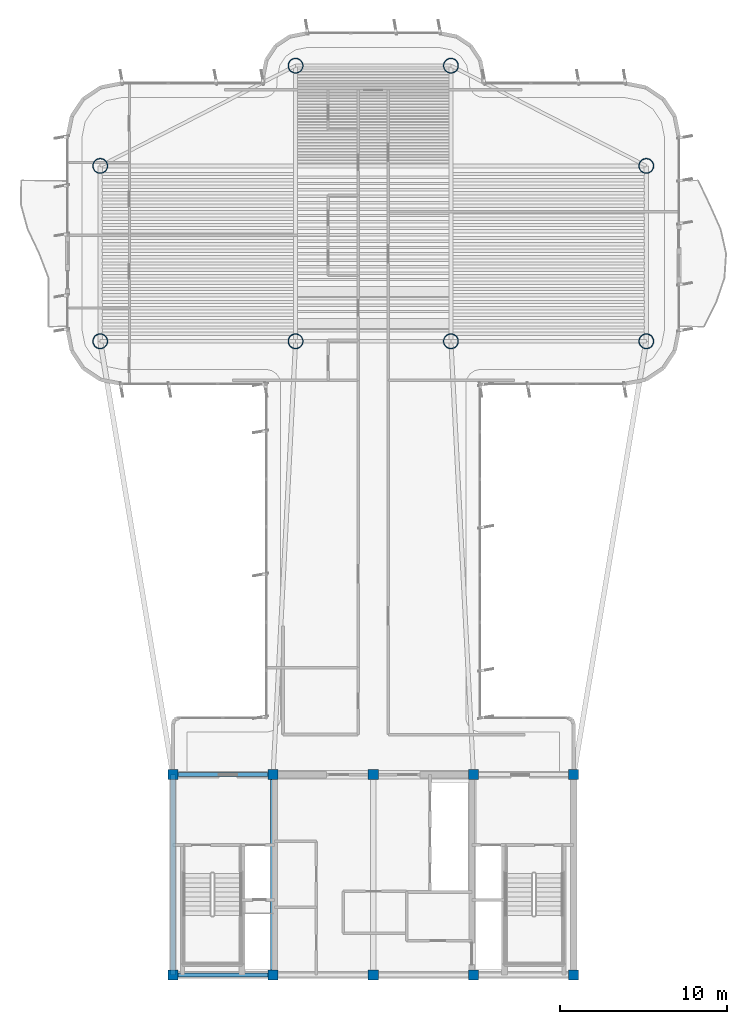
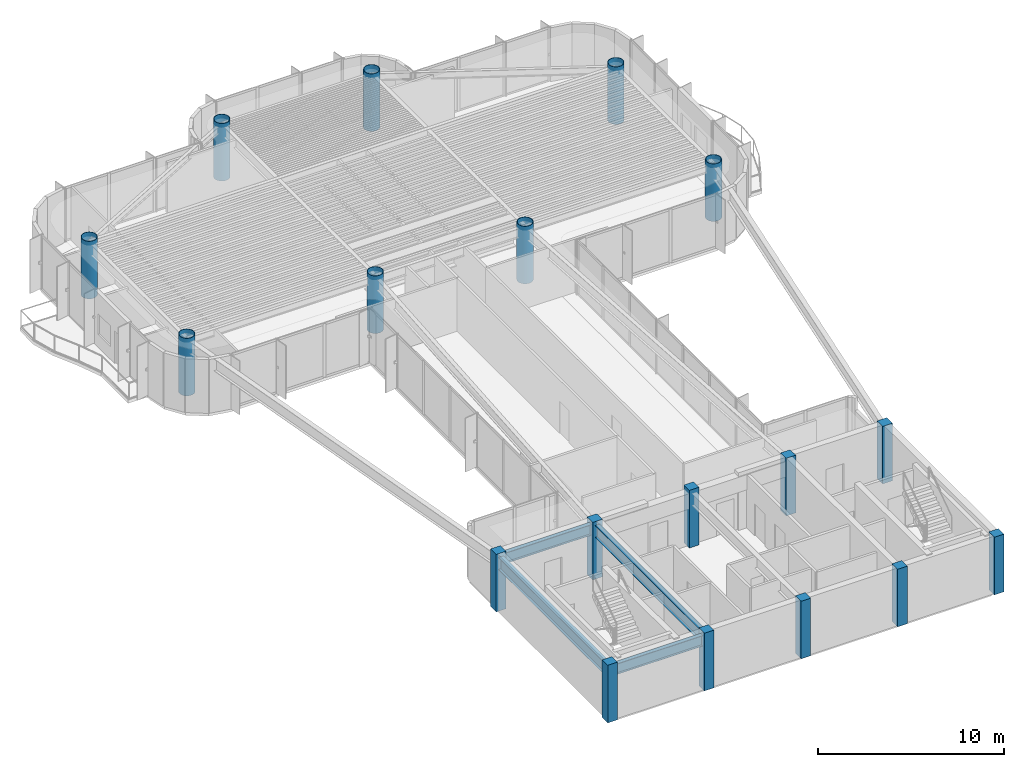
# One storey, part 1 of 15: 18 columns, 4 beams.
"""IFC4 building model written with IfcOpenShell, lengths in metres."""

from ifc_helpers import new_model, si_unit, direction, frame, origin, origin_2d, place, context, subcontext, project, spatial, rectangle, hollow_circle, i_section, extrude, source, transform, mapped, material, material_profile, profile_set, type_object, element, save


model = new_model("IFC4")

# Units and contexts
model_context = context("Model", 3, precision=1e-05, world=origin(), true_north=direction((0.0, 1.0)))
body_context = subcontext(model_context, "Body", "Model", "MODEL_VIEW")
ifc_project = project(units=[si_unit("LENGTHUNIT", "METRE"), si_unit("AREAUNIT", "SQUARE_METRE"), si_unit("VOLUMEUNIT", "CUBIC_METRE"), si_unit("PLANEANGLEUNIT", "RADIAN"), si_unit("MASSUNIT", "GRAM", prefix="KILO")], contexts=[model_context])

# Site, building, storey
site_placement = place(None, origin())
site = spatial("IfcSite", under=ifc_project, at=site_placement, CompositionType="ELEMENT")
building_placement = place(site_placement, origin())
building = spatial("IfcBuilding", under=site, at=building_placement, Name="Brelvock Crest Care Tower", CompositionType="ELEMENT")
storey_placement = place(building_placement, frame((0.0, 0.0, 283.5)))
storey = spatial("IfcBuildingStorey", under=building, at=storey_placement, Name="L72", CompositionType="ELEMENT", Elevation=283.5)

# Columns
ifc_material_1 = material(Name="Concrete S65 (65 MPa)", Category="concrete")
ifc_material_profile_1 = material_profile(ifc_material_1, rectangle(XDim=0.60009765625, YDim=0.60009765625, at=origin_2d()), Name="RC600x600")
ifc_profile_set_1 = profile_set([ifc_material_profile_1], Name="Concrete S65 (65 MPa)")
column_type_1 = type_object("IfcColumnType", Name="COL-RC4", PredefinedType="COLUMN", material=ifc_profile_set_1)
shared_shape_1 = source(origin(), body_context, "Body", "SweptSolid", [
    extrude(rectangle(XDim=0.60009765625, YDim=0.60009765625, at=origin_2d()), origin(), (0.0, 0.0, 1.0), 3.780029296875),
])
for number, where, z_axis, x_axis, name in (
    (1, (24.0, 6.0, 0.0), (0.0, 0.0, 1.0), (1.0, 0.0, 0.0), "L72 Core Column CC-01"),
    (2, (30.0, 6.0, 0.0), (0.0, 0.0, 1.0), (1.0, 0.0, 0.0), "L72 Core Column CC-02"),
    (3, (36.0, 6.0, 0.0), (0.0, 0.0, 1.0), (1.0, 0.0, 0.0), "L72 Core Column CC-03"),
    (4, (42.0, 6.0, 0.0), (0.0, 0.0, 1.0), (1.0, 0.0, 0.0), "L72 Core Column CC-04"),
    (5, (48.0, 6.0, 0.0), (0.0, 0.0, 1.0), (1.0, 0.0, 0.0), "L72 Core Column CC-05"),
    (6, (24.0, 18.0, 0.0), (0.0, 0.0, 1.0), (1.0, 0.0, 0.0), "L72 Core Column CC-06"),
    (7, (30.0, 18.0, 0.0), (0.0, 0.0, 1.0), (1.0, 0.0, 0.0), "L72 Core Column CC-07"),
    (8, (36.0, 18.0, 0.0), (0.0, 0.0, 1.0), (1.0, 0.0, 0.0), "L72 Core Column CC-08"),
    (9, (42.0, 18.0, 0.0), (0.0, 0.0, 1.0), (1.0, 0.0, 0.0), "L72 Core Column CC-09"),
    (10, (48.0, 18.0, 0.0), (0.0, 0.0, 1.0), (1.0, 0.0, 0.0), "L72 Core Column CC-10"),
):
    element("IfcColumn", number, at=place(storey_placement, frame(where, z_axis=z_axis, x_axis=x_axis)), inside=storey, type_object=column_type_1, Name=name, PredefinedType="COLUMN", context=body_context, shape_type="MappedRepresentation", body=[
        mapped(shared_shape_1, transform((0.0, 0.0, 0.0), x_axis=(1.0, 0.0, 0.0), y_axis=(0.0, 1.0, 0.0), z_axis=(0.0, 0.0, 1.0), scale=1.0)),
    ])
ifc_material_2 = material(Name="Steel Grade 350", Category="steel")
ifc_material_profile_2 = material_profile(ifc_material_2, hollow_circle(Radius=0.449951171875, WallThickness=0.031982421875, at=origin_2d()), Name="CFT900x32")
ifc_profile_set_2 = profile_set([ifc_material_profile_2], Name="Steel Grade 350")
column_type_2 = type_object("IfcColumnType", Name="COL-MC4", PredefinedType="COLUMN", material=ifc_profile_set_2)
shared_shape_2 = source(origin(), body_context, "Body", "SweptSolid", [
    extrude(hollow_circle(Radius=0.449951171875, WallThickness=0.031982421875, at=origin_2d()), origin(), (0.0, 0.0, 1.0), 3.780029296875),
])
for number, where, z_axis, x_axis, name in (
    (11, (19.64990234375, 43.949951171875, 0.0), (0.0, 0.0, 1.0), (1.0, 0.0, 0.0), "L72 Tower Column M1"),
    (12, (19.64990234375, 54.449951171875, 0.0), (0.0, 0.0, 1.0), (1.0, 0.0, 0.0), "L72 Tower Column M2"),
    (13, (52.35009765625, 43.949951171875, 0.0), (0.0, 0.0, 1.0), (1.0, 0.0, 0.0), "L72 Tower Column M3"),
    (14, (52.35009765625, 54.449951171875, 0.0), (0.0, 0.0, 1.0), (1.0, 0.0, 0.0), "L72 Tower Column M4"),
    (15, (31.35009765625, 43.949951171875, 0.0), (0.0, 0.0, 1.0), (1.0, 0.0, 0.0), "L72 Tower Column M5"),
    (16, (40.64990234375, 43.949951171875, 0.0), (0.0, 0.0, 1.0), (1.0, 0.0, 0.0), "L72 Tower Column M6"),
    (17, (31.35009765625, 60.449951171875, 0.0), (0.0, 0.0, 1.0), (1.0, 0.0, 0.0), "L72 Tower Column M7"),
    (18, (40.64990234375, 60.449951171875, 0.0), (0.0, 0.0, 1.0), (1.0, 0.0, 0.0), "L72 Tower Column M8"),
):
    element("IfcColumn", number, at=place(storey_placement, frame(where, z_axis=z_axis, x_axis=x_axis)), inside=storey, type_object=column_type_2, Name=name, PredefinedType="COLUMN", context=body_context, shape_type="MappedRepresentation", body=[
        mapped(shared_shape_2, transform((0.0, 0.0, 0.0), x_axis=(1.0, 0.0, 0.0), y_axis=(0.0, 1.0, 0.0), z_axis=(0.0, 0.0, 1.0), scale=1.0)),
    ])

# Beams
ifc_material_profile_3 = material_profile(ifc_material_2, i_section(OverallWidth=0.25, OverallDepth=0.699951171875, WebThickness=0.011962890625, FlangeThickness=0.02001953125, at=origin_2d()), Name="700WB150")
ifc_profile_set_3 = profile_set([ifc_material_profile_3], Name="Steel Grade 350")
beam_type_1 = type_object("IfcBeamType", Name="BM-G4", PredefinedType="BEAM", material=ifc_profile_set_3)
shared_shape_3 = source(origin(), body_context, "Body", "SweptSolid", [
    extrude(i_section(OverallWidth=0.25, OverallDepth=0.699951171875, WebThickness=0.011962890625, FlangeThickness=0.02001953125, at=origin_2d()), origin(), (0.0, 0.0, 1.0), 6.0),
])
for number, where, z_axis, x_axis, name in (
    (19, (24.0, 6.0, 3.179931640625), (1.0, 0.0, 0.0), (0.0, 1.0, 0.0), "BM-CORES-L72-1"),
    (20, (24.0, 18.0, 3.179931640625), (1.0, 0.0, 0.0), (0.0, 1.0, 0.0), "BM-COREN-L72-1"),
):
    element("IfcBeam", number, at=place(storey_placement, frame(where, z_axis=z_axis, x_axis=x_axis)), inside=storey, type_object=beam_type_1, Name=name, PredefinedType="BEAM", context=body_context, shape_type="MappedRepresentation", body=[
        mapped(shared_shape_3, transform((0.0, 0.0, 0.0), x_axis=(1.0, 0.0, 0.0), y_axis=(0.0, 1.0, 0.0), z_axis=(0.0, 0.0, 1.0), scale=1.0)),
    ])
ifc_material_profile_4 = material_profile(ifc_material_2, i_section(OverallWidth=0.300048828125, OverallDepth=0.800048828125, WebThickness=0.013916015625, FlangeThickness=0.02197265625, at=origin_2d()), Name="800WB192")
ifc_profile_set_4 = profile_set([ifc_material_profile_4], Name="Steel Grade 350")
beam_type_2 = type_object("IfcBeamType", Name="BM-G5", PredefinedType="BEAM", material=ifc_profile_set_4)
shared_shape_4 = source(origin(), body_context, "Body", "SweptSolid", [
    extrude(i_section(OverallWidth=0.300048828125, OverallDepth=0.800048828125, WebThickness=0.013916015625, FlangeThickness=0.02197265625, at=origin_2d()), origin(), (0.0, 0.0, 1.0), 12.0),
])
for number, where, z_axis, x_axis, name in (
    (21, (24.0, 6.0, 3.1298828125), (0.0, 1.0, 0.0), (-1.0, 0.0, 0.0), "BM-COREX-L72-1"),
    (22, (30.0, 6.0, 3.1298828125), (0.0, 1.0, 0.0), (-1.0, 0.0, 0.0), "BM-COREX-L72-2"),
):
    element("IfcBeam", number, at=place(storey_placement, frame(where, z_axis=z_axis, x_axis=x_axis)), inside=storey, type_object=beam_type_2, Name=name, PredefinedType="BEAM", context=body_context, shape_type="MappedRepresentation", body=[
        mapped(shared_shape_4, transform((0.0, 0.0, 0.0), x_axis=(1.0, 0.0, 0.0), y_axis=(0.0, 1.0, 0.0), z_axis=(0.0, 0.0, 1.0), scale=1.0)),
    ])

save(model, "model.ifc")
